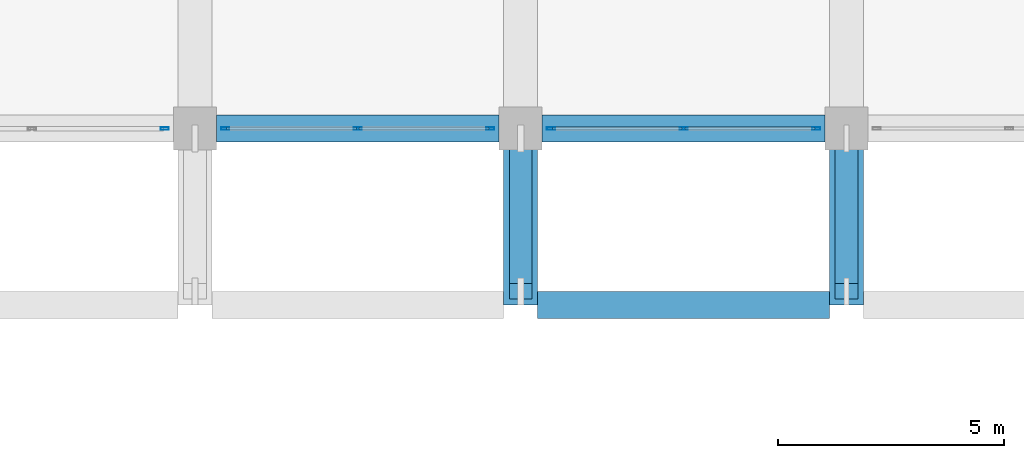
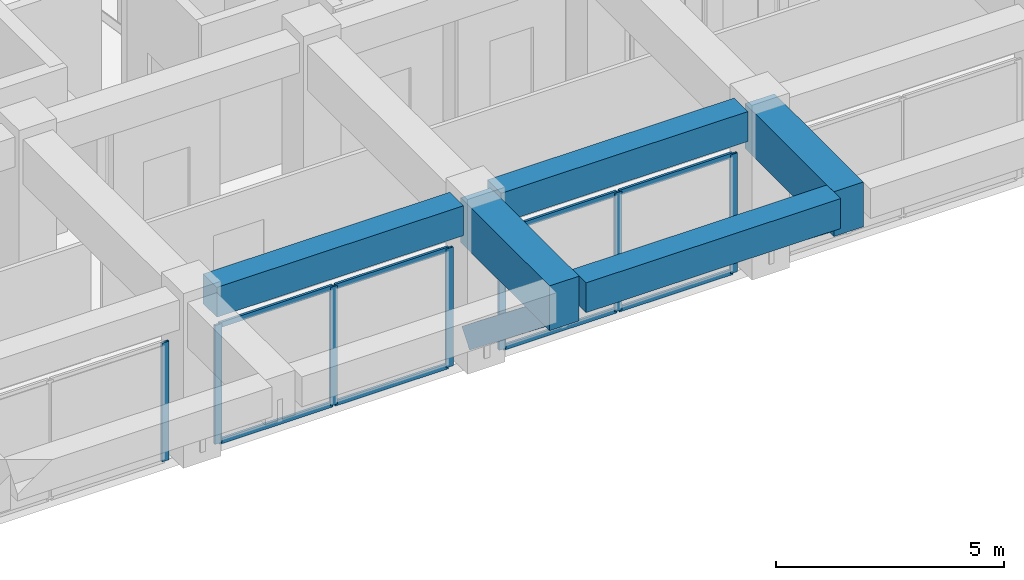
# One storey, part 10 of 54: 17 members, 5 beams, 3 elements without a shape of their own.
"""IFC4 building model written with IfcOpenShell, lengths in metres."""

from ifc_helpers import new_model, si_unit, direction, frame, origin, origin_2d, place, context, subcontext, project, spatial, rectangle, hollow_rectangle, extrude, material, material_profile, profile_set, type_object, element, aggregate, save


model = new_model("IFC4")

# Units and contexts
model_context = context("Model", 3, precision=1e-05, world=origin(), true_north=direction((0.0, 1.0)))
body_context = subcontext(model_context, "Body", "Model", "MODEL_VIEW")
ifc_project = project(units=[si_unit("LENGTHUNIT", "METRE"), si_unit("AREAUNIT", "SQUARE_METRE"), si_unit("VOLUMEUNIT", "CUBIC_METRE"), si_unit("PLANEANGLEUNIT", "RADIAN"), si_unit("MASSUNIT", "GRAM", prefix="KILO")], contexts=[model_context])

# Site, building, storey
site_placement = place(None, origin())
site = spatial("IfcSite", under=ifc_project, at=site_placement, CompositionType="ELEMENT")
building_placement = place(site_placement, origin())
building = spatial("IfcBuilding", under=site, at=building_placement, Name="Kazehaya Institute of Natural Sciences", CompositionType="ELEMENT")
storey_placement = place(building_placement, frame((0.0, 0.0, 10.43994140625)))
storey = spatial("IfcBuildingStorey", under=building, at=storey_placement, Name="L02", CompositionType="ELEMENT", Elevation=10.43994140625)

# Beams
ifc_material_1 = material(Name="Concrete Fc36", Category="concrete")
ifc_material_profile_1 = material_profile(ifc_material_1, rectangle(XDim=0.60009765625, YDim=0.800048828125, at=origin_2d()), Name="RC-600x800")
ifc_profile_set_1 = profile_set([ifc_material_profile_1], Name="Concrete Fc36")
beam_type_1 = type_object("IfcBeamType", Name="BM-G-600x800", PredefinedType="BEAM", material=ifc_profile_set_1)
beam_placement = place(storey_placement, frame((76.574951171875, 10.10009765625, 4.010009765625), z_axis=(1.0, 0.0, 0.0), x_axis=(0.0, 1.0, 0.0)))
element("IfcBeam", 1, at=beam_placement, inside=storey, type_object=beam_type_1, Name="L02 primary X girder BMX-L02-762-101", PredefinedType="BEAM", context=body_context, shape_type="SweptSolid", body=[
    extrude(rectangle(XDim=0.60009765625, YDim=0.800048828125, at=origin_2d()), origin(), (0.0, 0.0, 1.0), 6.449951171875),
])
for number, where, z_axis, x_axis, name in (
    (2, (69.47509765625, 14.0, 4.010009765625), (1.0, 0.0, 0.0), (0.0, 1.0, 0.0), "L02 primary X girder BMX-L02-690-140"),
    (3, (76.675048828125, 14.0, 4.010009765625), (1.0, 0.0, 0.0), (0.0, 1.0, 0.0), "L02 primary X girder BMX-L02-762-140"),
):
    element("IfcBeam", number, at=place(storey_placement, frame(where, z_axis=z_axis, x_axis=x_axis)), inside=storey, type_object=beam_type_1, Name=name, PredefinedType="BEAM", context=body_context, shape_type="SweptSolid", body=[
        extrude(rectangle(XDim=0.60009765625, YDim=0.800048828125, at=origin_2d()), origin(), (0.0, 0.0, 1.0), 6.25),
    ])
ifc_material_2 = material(Name="Concrete Fc42", Category="concrete")
ifc_material_profile_2 = material_profile(ifc_material_2, rectangle(XDim=0.75, YDim=1.199951171875, at=origin_2d()), Name="RC-750x1200")
ifc_profile_set_2 = profile_set([ifc_material_profile_2], Name="Concrete Fc42")
beam_type_2 = type_object("IfcBeamType", Name="BM-TG-750x1200", PredefinedType="BEAM", material=ifc_profile_set_2)
for number, where, z_axis, x_axis, name in (
    (4, (76.199951171875, 10.10009765625, 3.81005859375), (0.0, 1.0, 0.0), (-1.0, 0.0, 0.0), "L02 cantilever transfer girder 1225"),
    (5, (83.39990234375, 10.10009765625, 3.81005859375), (0.0, 1.0, 0.0), (-1.0, 0.0, 0.0), "L02 cantilever transfer girder 1231"),
):
    element("IfcBeam", number, at=place(storey_placement, frame(where, z_axis=z_axis, x_axis=x_axis)), inside=storey, type_object=beam_type_2, Name=name, PredefinedType="BEAM", context=body_context, shape_type="SweptSolid", body=[
        extrude(rectangle(XDim=0.75, YDim=1.199951171875, at=origin_2d()), origin(), (0.0, 0.0, 1.0), 3.89990234375),
    ])

# Curtain wall, members
ifc_material_3 = material(Name="Aluminium alloy A6063S-T5", Category="aluminium")
curtain_wall_type = type_object("IfcCurtainWallType", Name="CW-SYS-03", PredefinedType="NOTDEFINED", material=ifc_material_3)
curtain_wall_1_placement = place(storey_placement, origin())
curtain_wall_1 = element("IfcCurtainWall", 6, at=curtain_wall_1_placement, inside=storey, type_object=curtain_wall_type, Name="L02 unitised curtain wall CW-L02-053", PredefinedType="NOTDEFINED")
ifc_material_profile_3 = material_profile(ifc_material_3, hollow_rectangle(XDim=0.06005859375, YDim=0.179931640625, WallThickness=0.00390625, at=origin_2d()), Name="ALU-60x180x4")
ifc_profile_set_3 = profile_set([ifc_material_profile_3], Name="Aluminium alloy A6063S-T5")
member_type_1 = type_object("IfcMemberType", Name="CWM-180", PredefinedType="MULLION", material=ifc_profile_set_3)
member_1_placement = place(storey_placement, frame((82.72998046875, 14.0, 0.0), z_axis=(0.0, 0.0, 1.0), x_axis=(0.0, -1.0, 0.0)))
member_1 = element("IfcMember", 7, at=member_1_placement, type_object=member_type_1, Name="CW03 mullion 1", PredefinedType="MULLION", context=body_context, shape_type="SweptSolid", body=[
    extrude(hollow_rectangle(XDim=0.06005859375, YDim=0.179931640625, WallThickness=0.00390625, at=origin_2d()), origin(), (0.0, 0.0, 1.0), 3.18017578125),
])
member_2_placement = place(storey_placement, frame((79.800048828125, 14.0, 0.0), z_axis=(0.0, 0.0, 1.0), x_axis=(0.0, -1.0, 0.0)))
member_2 = element("IfcMember", 8, at=member_2_placement, type_object=member_type_1, Name="CW03 mullion 2", PredefinedType="MULLION", context=body_context, shape_type="SweptSolid", body=[
    extrude(hollow_rectangle(XDim=0.06005859375, YDim=0.179931640625, WallThickness=0.00390625, at=origin_2d()), origin(), (0.0, 0.0, 1.0), 3.18017578125),
])
member_3_placement = place(storey_placement, frame((76.8701171875, 14.0, 0.0), z_axis=(0.0, 0.0, 1.0), x_axis=(0.0, -1.0, 0.0)))
member_3 = element("IfcMember", 9, at=member_3_placement, type_object=member_type_1, Name="CW03 mullion 3", PredefinedType="MULLION", context=body_context, shape_type="SweptSolid", body=[
    extrude(hollow_rectangle(XDim=0.06005859375, YDim=0.179931640625, WallThickness=0.00390625, at=origin_2d()), origin(), (0.0, 0.0, 1.0), 3.18017578125),
])

curtain_wall_2_placement = place(storey_placement, origin())
curtain_wall_2 = element("IfcCurtainWall", 10, at=curtain_wall_2_placement, inside=storey, type_object=curtain_wall_type, Name="L02 unitised curtain wall CW-L02-054", PredefinedType="NOTDEFINED")
member_4_placement = place(storey_placement, frame((75.530029296875, 14.0, 0.0), z_axis=(0.0, 0.0, 1.0), x_axis=(0.0, -1.0, 0.0)))
member_4 = element("IfcMember", 11, at=member_4_placement, type_object=member_type_1, Name="CW03 mullion 1", PredefinedType="MULLION", context=body_context, shape_type="SweptSolid", body=[
    extrude(hollow_rectangle(XDim=0.06005859375, YDim=0.179931640625, WallThickness=0.00390625, at=origin_2d()), origin(), (0.0, 0.0, 1.0), 3.18017578125),
])
member_5_placement = place(storey_placement, frame((72.60009765625, 14.0, 0.0), z_axis=(0.0, 0.0, 1.0), x_axis=(0.0, -1.0, 0.0)))
member_5 = element("IfcMember", 12, at=member_5_placement, type_object=member_type_1, Name="CW03 mullion 2", PredefinedType="MULLION", context=body_context, shape_type="SweptSolid", body=[
    extrude(hollow_rectangle(XDim=0.06005859375, YDim=0.179931640625, WallThickness=0.00390625, at=origin_2d()), origin(), (0.0, 0.0, 1.0), 3.18017578125),
])
member_6_placement = place(storey_placement, frame((69.669921875, 14.0, 0.0), z_axis=(0.0, 0.0, 1.0), x_axis=(0.0, -1.0, 0.0)))
member_6 = element("IfcMember", 13, at=member_6_placement, type_object=member_type_1, Name="CW03 mullion 3", PredefinedType="MULLION", context=body_context, shape_type="SweptSolid", body=[
    extrude(hollow_rectangle(XDim=0.06005859375, YDim=0.179931640625, WallThickness=0.00390625, at=origin_2d()), origin(), (0.0, 0.0, 1.0), 3.18017578125),
])

# Curtain wall, member
curtain_wall_3_placement = place(storey_placement, origin())
curtain_wall_3 = element("IfcCurtainWall", 14, at=curtain_wall_3_placement, inside=storey, type_object=curtain_wall_type, Name="L02 unitised curtain wall CW-L02-055", PredefinedType="NOTDEFINED")
member_7_placement = place(storey_placement, frame((68.330078125, 14.0, 0.0), z_axis=(0.0, 0.0, 1.0), x_axis=(0.0, -1.0, 0.0)))
member_7 = element("IfcMember", 15, at=member_7_placement, type_object=member_type_1, Name="CW03 mullion 1", PredefinedType="MULLION", context=body_context, shape_type="SweptSolid", body=[
    extrude(hollow_rectangle(XDim=0.06005859375, YDim=0.179931640625, WallThickness=0.00390625, at=origin_2d()), origin(), (0.0, 0.0, 1.0), 3.18017578125),
])
aggregate(curtain_wall_3, [member_7])

# Member
ifc_material_profile_4 = material_profile(ifc_material_3, hollow_rectangle(XDim=0.06005859375, YDim=0.139892578125, WallThickness=0.00341796875, at=origin_2d()), Name="ALU-60x140x3.5")
ifc_profile_set_4 = profile_set([ifc_material_profile_4], Name="Aluminium alloy A6063S-T5")
member_type_2 = type_object("IfcMemberType", Name="CWT-140", PredefinedType="USERDEFINED", material=ifc_profile_set_4)
member_8_placement = place(storey_placement, frame((82.699951171875, 14.0, 0.030029296875), z_axis=(-1.0, 0.0, 0.0), x_axis=(0.0, -1.0, 0.0)))
member_8 = element("IfcMember", 16, at=member_8_placement, type_object=member_type_2, Name="CW03 transom 1.1", ObjectType="TRANSOM", PredefinedType="USERDEFINED", context=body_context, shape_type="SweptSolid", body=[
    extrude(hollow_rectangle(XDim=0.06005859375, YDim=0.139892578125, WallThickness=0.00341796875, at=origin_2d()), origin(), (0.0, 0.0, 1.0), 2.869873046875),
])

member_9_placement = place(storey_placement, frame((82.699951171875, 14.0, 3.150146484375), z_axis=(-1.0, 0.0, 0.0), x_axis=(0.0, -1.0, 0.0)))
member_9 = element("IfcMember", 17, at=member_9_placement, type_object=member_type_2, Name="CW03 transom 1.2", ObjectType="TRANSOM", PredefinedType="USERDEFINED", context=body_context, shape_type="SweptSolid", body=[
    extrude(hollow_rectangle(XDim=0.06005859375, YDim=0.139892578125, WallThickness=0.00341796875, at=origin_2d()), origin(), (0.0, 0.0, 1.0), 2.869873046875),
])

member_10_placement = place(storey_placement, frame((79.77001953125, 14.0, 0.030029296875), z_axis=(-1.0, 0.0, 0.0), x_axis=(0.0, -1.0, 0.0)))
member_10 = element("IfcMember", 18, at=member_10_placement, type_object=member_type_2, Name="CW03 transom 2.1", ObjectType="TRANSOM", PredefinedType="USERDEFINED", context=body_context, shape_type="SweptSolid", body=[
    extrude(hollow_rectangle(XDim=0.06005859375, YDim=0.139892578125, WallThickness=0.00341796875, at=origin_2d()), origin(), (0.0, 0.0, 1.0), 2.8701171875),
])

member_11_placement = place(storey_placement, frame((79.77001953125, 14.0, 3.150146484375), z_axis=(-1.0, 0.0, 0.0), x_axis=(0.0, -1.0, 0.0)))
member_11 = element("IfcMember", 19, at=member_11_placement, type_object=member_type_2, Name="CW03 transom 2.2", ObjectType="TRANSOM", PredefinedType="USERDEFINED", context=body_context, shape_type="SweptSolid", body=[
    extrude(hollow_rectangle(XDim=0.06005859375, YDim=0.139892578125, WallThickness=0.00341796875, at=origin_2d()), origin(), (0.0, 0.0, 1.0), 2.8701171875),
])

aggregate(curtain_wall_1, [member_1, member_2, member_3, member_8, member_9, member_10, member_11])

member_12_placement = place(storey_placement, frame((75.5, 14.0, 0.030029296875), z_axis=(-1.0, 0.0, 0.0), x_axis=(0.0, -1.0, 0.0)))
member_12 = element("IfcMember", 20, at=member_12_placement, type_object=member_type_2, Name="CW03 transom 1.1", ObjectType="TRANSOM", PredefinedType="USERDEFINED", context=body_context, shape_type="SweptSolid", body=[
    extrude(hollow_rectangle(XDim=0.06005859375, YDim=0.139892578125, WallThickness=0.00341796875, at=origin_2d()), origin(), (0.0, 0.0, 1.0), 2.8701171875),
])

member_13_placement = place(storey_placement, frame((75.5, 14.0, 3.150146484375), z_axis=(-1.0, 0.0, 0.0), x_axis=(0.0, -1.0, 0.0)))
member_13 = element("IfcMember", 21, at=member_13_placement, type_object=member_type_2, Name="CW03 transom 1.2", ObjectType="TRANSOM", PredefinedType="USERDEFINED", context=body_context, shape_type="SweptSolid", body=[
    extrude(hollow_rectangle(XDim=0.06005859375, YDim=0.139892578125, WallThickness=0.00341796875, at=origin_2d()), origin(), (0.0, 0.0, 1.0), 2.8701171875),
])

member_14_placement = place(storey_placement, frame((72.570068359375, 14.0, 0.030029296875), z_axis=(-1.0, 0.0, 0.0), x_axis=(0.0, -1.0, 0.0)))
member_14 = element("IfcMember", 22, at=member_14_placement, type_object=member_type_2, Name="CW03 transom 2.1", ObjectType="TRANSOM", PredefinedType="USERDEFINED", context=body_context, shape_type="SweptSolid", body=[
    extrude(hollow_rectangle(XDim=0.06005859375, YDim=0.139892578125, WallThickness=0.00341796875, at=origin_2d()), origin(), (0.0, 0.0, 1.0), 2.8701171875),
])

member_15_placement = place(storey_placement, frame((72.570068359375, 14.0, 3.150146484375), z_axis=(-1.0, 0.0, 0.0), x_axis=(0.0, -1.0, 0.0)))
member_15 = element("IfcMember", 23, at=member_15_placement, type_object=member_type_2, Name="CW03 transom 2.2", ObjectType="TRANSOM", PredefinedType="USERDEFINED", context=body_context, shape_type="SweptSolid", body=[
    extrude(hollow_rectangle(XDim=0.06005859375, YDim=0.139892578125, WallThickness=0.00341796875, at=origin_2d()), origin(), (0.0, 0.0, 1.0), 2.8701171875),
])

aggregate(curtain_wall_2, [member_4, member_5, member_6, member_12, member_13, member_14, member_15])

# Members
ifc_material_profile_5 = material_profile(ifc_material_2, rectangle(XDim=0.5, YDim=0.550048828125, at=origin_2d()), Name="RC-500x550")
ifc_profile_set_5 = profile_set([ifc_material_profile_5], Name="Concrete Fc42")
member_type_3 = type_object("IfcMemberType", Name="MEM-STRUT-RC500", PredefinedType="BRACE", material=ifc_profile_set_5)
for number, where, z_axis, x_axis, name in (
    (24, (76.199951171875, 14.0, 0.60009765625), (0.0, -0.783008919264, 0.622010476079), (1.0, 0.0, 0.0), "L02 raked cantilever strut 004"),
    (25, (83.39990234375, 14.0, 0.60009765625), (0.0, -0.783008919264, 0.622010476079), (1.0, 0.0, 0.0), "L02 raked cantilever strut 005"),
):
    element("IfcMember", number, at=place(storey_placement, frame(where, z_axis=z_axis, x_axis=x_axis)), inside=storey, type_object=member_type_3, Name=name, PredefinedType="BRACE", context=body_context, shape_type="SweptSolid", body=[
        extrude(rectangle(XDim=0.5, YDim=0.550048828125, at=origin_2d()), origin(), (0.0, 0.0, 1.0), 4.59765625),
    ])

save(model, "model.ifc")
